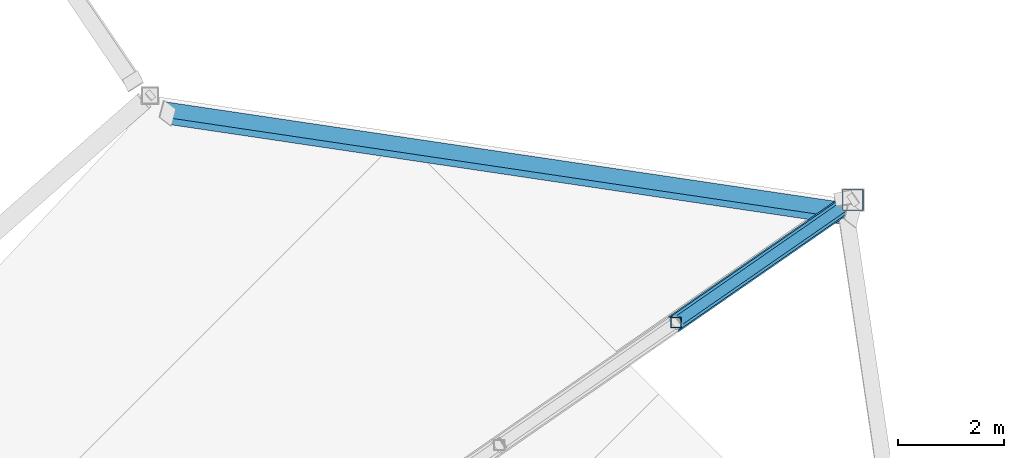
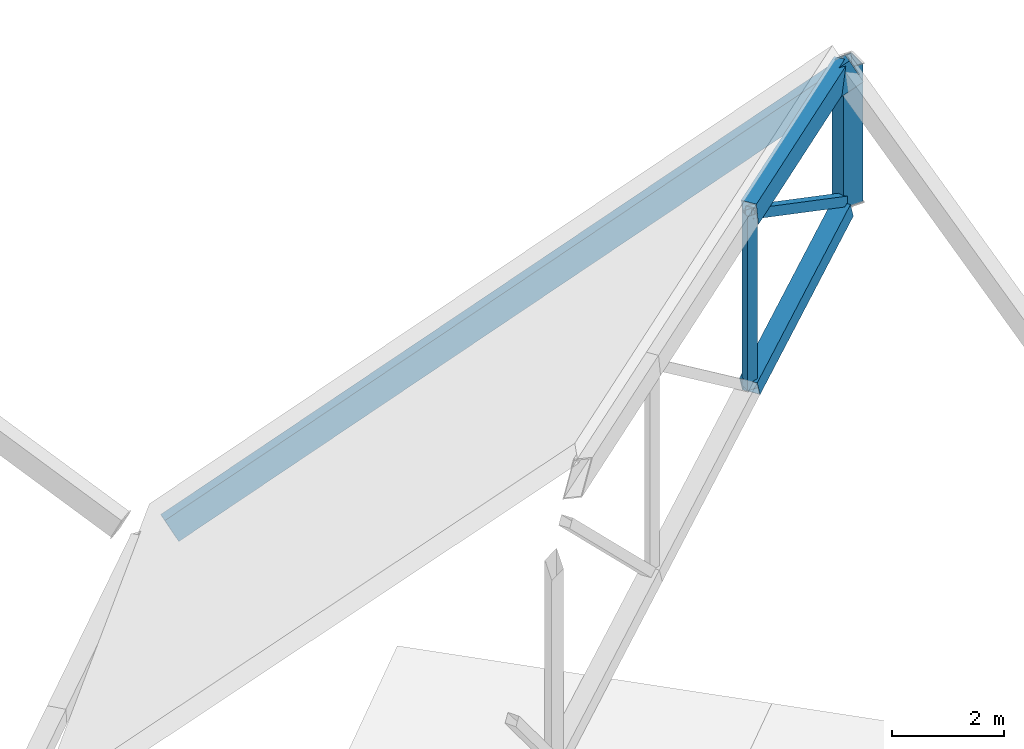
# One storey, part 112 of 188: 5 members, 1 beam.
"""IFC4 building model written with IfcOpenShell, lengths in metres."""

from ifc_helpers import new_model, si_unit, direction, frame, origin, origin_2d, place, context, subcontext, project, spatial, hollow_rectangle, extrude, material, material_profile, profile_set, type_object, element, save


model = new_model("IFC4")

# Units and contexts
model_context = context("Model", 3, precision=1e-05, world=origin(), true_north=direction((0.0, 1.0)))
body_context = subcontext(model_context, "Body", "Model", "MODEL_VIEW")
ifc_project = project(units=[si_unit("LENGTHUNIT", "METRE"), si_unit("AREAUNIT", "SQUARE_METRE"), si_unit("VOLUMEUNIT", "CUBIC_METRE"), si_unit("PLANEANGLEUNIT", "RADIAN"), si_unit("MASSUNIT", "GRAM", prefix="KILO")], contexts=[model_context])

# Site, building, storey
site_placement = place(None, origin())
site = spatial("IfcSite", under=ifc_project, at=site_placement, CompositionType="ELEMENT")
building_placement = place(site_placement, origin())
building = spatial("IfcBuilding", under=site, at=building_placement, Name="Meseta Stadium", CompositionType="ELEMENT")
storey_placement = place(building_placement, frame((0.0, 0.0, 30.0)))
storey = spatial("IfcBuildingStorey", under=building, at=storey_placement, Name="ROOF", CompositionType="ELEMENT", Elevation=30.0)

# Beam
ifc_material_1 = material(Name="Steel S355", Category="steel")
ifc_material_profile_1 = material_profile(ifc_material_1, hollow_rectangle(XDim=0.300048828125, YDim=0.5, WallThickness=0.01611328125, at=origin_2d()), Name="RHS 500x300x16")
ifc_profile_set_1 = profile_set([ifc_material_profile_1], Name="Steel S355")
beam_type = type_object("IfcBeamType", Name="RHS 500x300x16 rim ring beam", PredefinedType="BEAM", material=ifc_profile_set_1)
beam_placement = place(storey_placement, frame((85.150390625, 88.892578125, 10.453857421875), z_axis=(-0.882924273132, 0.131080910292, -0.450846451545), x_axis=(-0.252778835501, -0.941903098957, 0.221181853906)))
element("IfcBeam", 1, at=beam_placement, inside=storey, type_object=beam_type, Name="RIM RING BEAM 13", PredefinedType="BEAM", context=body_context, shape_type="SweptSolid", body=[
    extrude(hollow_rectangle(XDim=0.300048828125, YDim=0.5, WallThickness=0.01611328125, at=origin_2d()), origin(), (0.0, 0.0, 1.0), 14.6728515625),
])

# Members
ifc_material_2 = material(Name="Steel S355", Category="steel")
ifc_material_profile_2 = material_profile(ifc_material_2, hollow_rectangle(XDim=0.300048828125, YDim=0.5, WallThickness=0.01611328125, at=origin_2d()), Name="RHS 500x300x16")
ifc_profile_set_2 = profile_set([ifc_material_profile_2], Name="Steel S355")
member_type_1 = type_object("IfcMemberType", Name="RHS 500x300x16 top chord", PredefinedType="CHORD", material=ifc_profile_set_2)
member_1_placement = place(storey_placement, frame((81.82421875, 86.8525390625, 9.72900390625), z_axis=(0.809975924972, 0.561325227416, 0.169861679119), x_axis=(-0.56960274334, 0.821920138931, 0.0)))
element("IfcMember", 2, at=member_1_placement, inside=storey, type_object=member_type_1, Name="ROOF TRUSS RT-12 top chord", PredefinedType="CHORD", context=body_context, shape_type="SweptSolid", body=[
    extrude(hollow_rectangle(XDim=0.300048828125, YDim=0.5, WallThickness=0.01611328125, at=origin_2d()), origin(), (0.0, 0.0, 1.0), 3.935302734375),
])
ifc_material_3 = material(Name="Steel S355", Category="steel")
ifc_material_profile_3 = material_profile(ifc_material_3, hollow_rectangle(XDim=0.199951171875, YDim=0.199951171875, WallThickness=0.008056640625, at=origin_2d()), Name="SHS 200x200x8")
ifc_profile_set_3 = profile_set([ifc_material_profile_3], Name="Steel S355")
member_type_2 = type_object("IfcMemberType", Name="SHS 200x200x8 diagonal", PredefinedType="BRACE", material=ifc_profile_set_3)
member_2_placement = place(storey_placement, frame((81.82421875, 86.8525390625, 9.72900390625), z_axis=(0.715975906446, 0.496173390561, -0.491111461776), x_axis=(-0.569596196645, 0.821924675848, 0.0)))
element("IfcMember", 3, at=member_2_placement, inside=storey, type_object=member_type_2, Name="ROOF TRUSS RT-12 diagonal", PredefinedType="BRACE", context=body_context, shape_type="SweptSolid", body=[
    extrude(hollow_rectangle(XDim=0.199951171875, YDim=0.199951171875, WallThickness=0.008056640625, at=origin_2d()), origin(), (0.0, 0.0, 1.0), 4.678466796875),
])
ifc_material_4 = material(Name="Steel S355", Category="steel")
ifc_material_profile_4 = material_profile(ifc_material_4, hollow_rectangle(XDim=0.199951171875, YDim=0.199951171875, WallThickness=0.008056640625, at=origin_2d()), Name="SHS 200x200x8")
ifc_profile_set_4 = profile_set([ifc_material_profile_4], Name="Steel S355")
member_type_3 = type_object("IfcMemberType", Name="SHS 200x200x8 post", PredefinedType="POST", material=ifc_profile_set_4)
member_3_placement = place(storey_placement, frame((81.82421875, 86.8525390625, 5.9482421875), z_axis=(0.0, 0.0, 1.0), x_axis=(1.0, 0.0, 0.0)))
element("IfcMember", 4, at=member_3_placement, inside=storey, type_object=member_type_3, Name="ROOF TRUSS RT-12 post", PredefinedType="POST", context=body_context, shape_type="SweptSolid", body=[
    extrude(hollow_rectangle(XDim=0.199951171875, YDim=0.199951171875, WallThickness=0.008056640625, at=origin_2d()), origin(), (0.0, 0.0, 1.0), 3.78076171875),
])
ifc_material_5 = material(Name="Steel S355", Category="steel")
ifc_material_profile_5 = material_profile(ifc_material_5, hollow_rectangle(XDim=0.35009765625, YDim=0.35009765625, WallThickness=0.010009765625, at=origin_2d()), Name="SHS 350x350x10")
ifc_profile_set_5 = profile_set([ifc_material_profile_5], Name="Steel S355")
member_type_4 = type_object("IfcMemberType", Name="SHS 350x350x10 bottom chord", PredefinedType="CHORD", material=ifc_profile_set_5)
member_4_placement = place(storey_placement, frame((81.82421875, 86.8525390625, 5.9482421875), z_axis=(0.772368850355, 0.535234439052, 0.342009435914), x_axis=(-0.569582230921, 0.82193435396, 0.0)))
element("IfcMember", 5, at=member_4_placement, inside=storey, type_object=member_type_4, Name="ROOF TRUSS RT-12 bottom chord", PredefinedType="CHORD", context=body_context, shape_type="SweptSolid", body=[
    extrude(hollow_rectangle(XDim=0.35009765625, YDim=0.35009765625, WallThickness=0.010009765625, at=origin_2d()), origin(), (0.0, 0.0, 1.0), 4.13671875),
])
ifc_material_6 = material(Name="Steel S355", Category="steel")
ifc_material_profile_6 = material_profile(ifc_material_6, hollow_rectangle(XDim=0.39990234375, YDim=0.39990234375, WallThickness=0.01416015625, at=origin_2d()), Name="SHS 400x400x14.2")
ifc_profile_set_6 = profile_set([ifc_material_profile_6], Name="Steel S355")
member_type_5 = type_object("IfcMemberType", Name="SHS 400x400x14.2 rim post", PredefinedType="POST", material=ifc_profile_set_6)
member_5_placement = place(storey_placement, frame((85.173828125, 89.173828125, 7.431396484375), z_axis=(0.0, 0.0, 1.0), x_axis=(1.0, 0.0, 0.0)))
element("IfcMember", 6, at=member_5_placement, inside=storey, type_object=member_type_5, Name="ROOF TRUSS RT-12 post", PredefinedType="POST", context=body_context, shape_type="SweptSolid", body=[
    extrude(hollow_rectangle(XDim=0.39990234375, YDim=0.39990234375, WallThickness=0.01416015625, at=origin_2d()), origin(), (0.0, 0.0, 1.0), 3.0),
])

save(model, "model.ifc")
